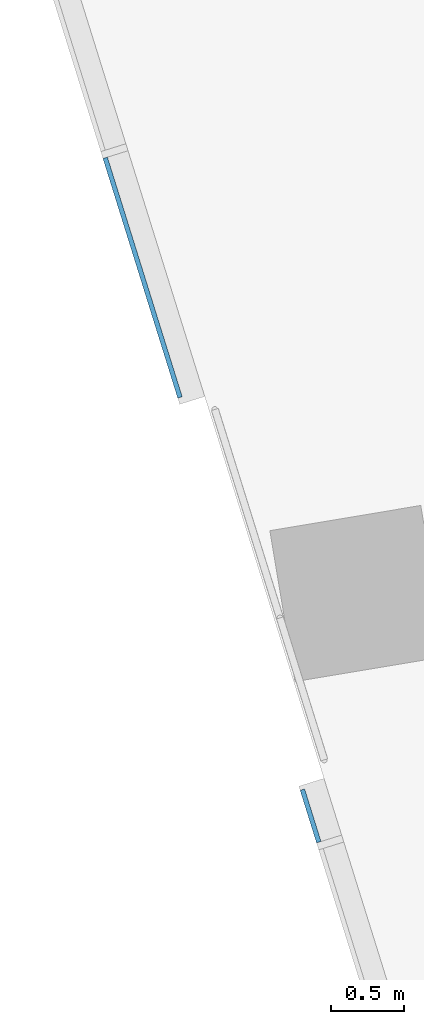
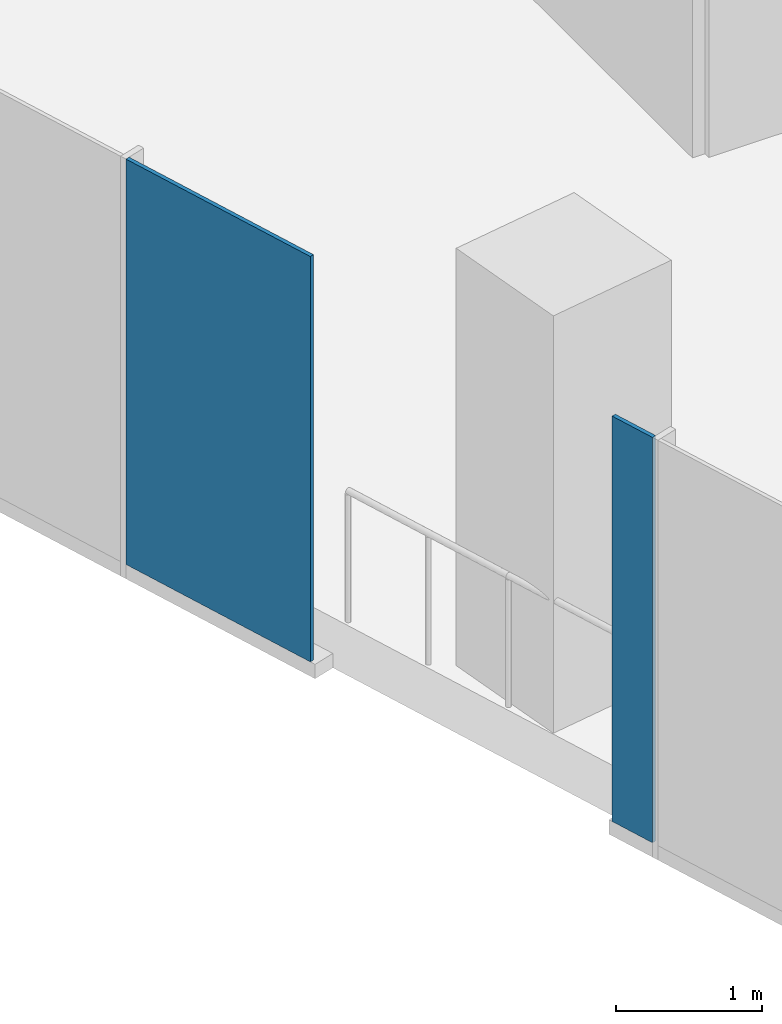
# One storey, part 14 of 26: 2 plates, 1 element without a shape of its own.
"""IFC4 building model written with IfcOpenShell, lengths in metres."""

from ifc_helpers import new_model, si_unit, direction, frame, origin, origin_2d, place, context, subcontext, project, spatial, rectangle, extrude, material, layer, layer_set, type_object, element, aggregate, save


model = new_model("IFC4")

# Units and contexts
model_context = context("Model", 3, precision=1e-05, world=origin(), true_north=direction((0.0, 1.0)))
body_context = subcontext(model_context, "Body", "Model", "MODEL_VIEW")
ifc_project = project(units=[si_unit("LENGTHUNIT", "METRE"), si_unit("AREAUNIT", "SQUARE_METRE"), si_unit("VOLUMEUNIT", "CUBIC_METRE"), si_unit("PLANEANGLEUNIT", "RADIAN"), si_unit("MASSUNIT", "GRAM", prefix="KILO")], contexts=[model_context])

# Site, building, storey
site_placement = place(None, origin())
site = spatial("IfcSite", under=ifc_project, at=site_placement, CompositionType="ELEMENT")
building_placement = place(site_placement, origin())
building = spatial("IfcBuilding", under=site, at=building_placement, Name="Orlundy Tower", CompositionType="ELEMENT")
storey_placement = place(building_placement, frame((0.0, 0.0, 253.5)))
storey = spatial("IfcBuildingStorey", under=building, at=storey_placement, Name="L67", CompositionType="ELEMENT", Elevation=253.5)

# Curtain wall, plates
ifc_material_1 = material(Name="Aluminium bronze anodised", Category="aluminium")
curtain_wall_type = type_object("IfcCurtainWallType", Name="CW1 wall", PredefinedType="NOTDEFINED", material=ifc_material_1)
curtain_wall_placement = place(storey_placement, origin())
curtain_wall = element("IfcCurtainWall", 1, at=curtain_wall_placement, inside=storey, type_object=curtain_wall_type, Name="CW1 run 01", PredefinedType="NOTDEFINED")
ifc_material_2 = material(Name="Tinted glass", Category="glass")
ifc_layer = layer(ifc_material_2, 0.031982421875)
ifc_layer_set = layer_set([ifc_layer], Name="CW1 glass panel 32")
plate_type = type_object("IfcPlateType", Name="CW1 glass panel 32", PredefinedType="CURTAIN_PANEL", material=ifc_layer_set)
plate_1_placement = place(storey_placement, frame((-29.598388671875, -6.41015625, -0.300048828125), z_axis=(0.0, 0.0, 1.0), x_axis=(-0.297954226643, 0.954580158408, 0.0)))
plate_1 = element("IfcPlate", 2, at=plate_1_placement, type_object=plate_type, Name="CW1 panel", PredefinedType="CURTAIN_PANEL", context=body_context, shape_type="SweptSolid", body=[
    extrude(rectangle(XDim=0.3779296875, YDim=0.031982421875, at=origin_2d()), origin(), (0.0, 0.0, 1.0), 3.39990234375),
])
plate_2_placement = place(storey_placement, frame((-30.75146484375, -2.7158203125, -0.300048828125), z_axis=(0.0, 0.0, 1.0), x_axis=(-0.297954226643, 0.954580158408, 0.0)))
plate_2 = element("IfcPlate", 3, at=plate_2_placement, type_object=plate_type, Name="CW1 panel", PredefinedType="CURTAIN_PANEL", context=body_context, shape_type="SweptSolid", body=[
    extrude(rectangle(XDim=1.722900390625, YDim=0.031982421875, at=origin_2d()), origin(), (0.0, 0.0, 1.0), 3.39990234375),
])
aggregate(curtain_wall, [plate_1, plate_2])

save(model, "model.ifc")
